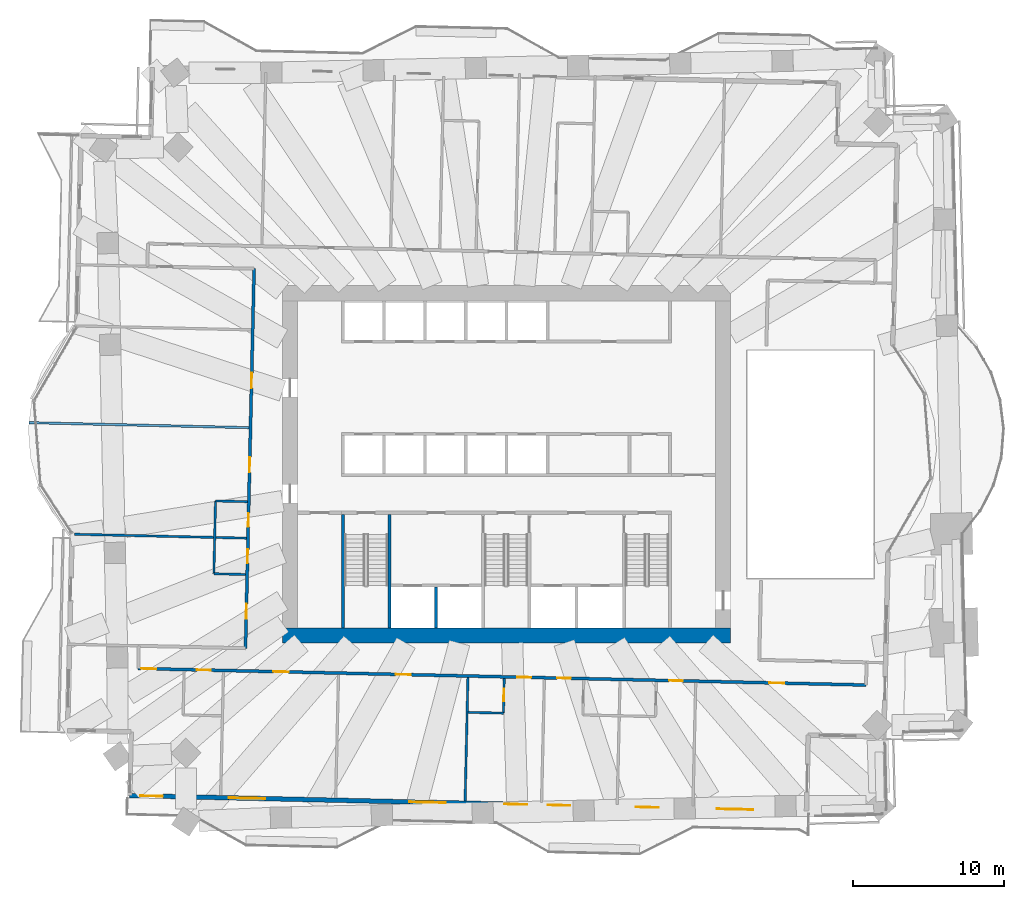
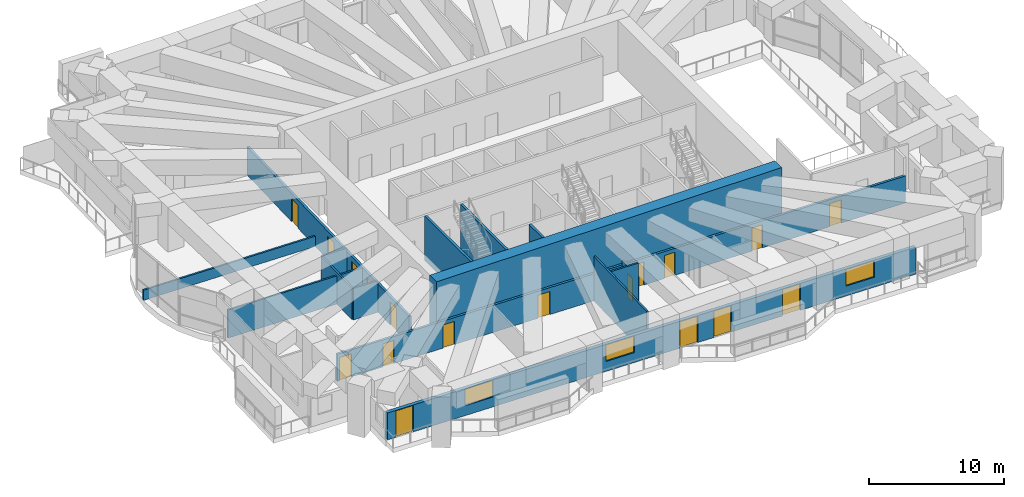
# One storey, part 10 of 20: 18 doors, 15 walls, 3 windows, 21 openings.
"""IFC4 building model written with IfcOpenShell, lengths in metres."""

from ifc_helpers import new_model, si_unit, direction, frame, frame_2d, origin, place, context, subcontext, project, spatial, rectangle, extrude, material, layer, layer_set, type_object, element, fill, save


model = new_model("IFC4")

# Units and contexts
model_context = context("Model", 3, precision=1e-05, world=origin(), true_north=direction((0.0, 1.0)))
body_context = subcontext(model_context, "Body", "Model", "MODEL_VIEW")
ifc_project = project(units=[si_unit("LENGTHUNIT", "METRE"), si_unit("AREAUNIT", "SQUARE_METRE"), si_unit("VOLUMEUNIT", "CUBIC_METRE"), si_unit("PLANEANGLEUNIT", "RADIAN"), si_unit("MASSUNIT", "GRAM", prefix="KILO")], contexts=[model_context])

# Site, building, storey
site_placement = place(None, origin())
site = spatial("IfcSite", under=ifc_project, at=site_placement, CompositionType="ELEMENT")
building_placement = place(site_placement, origin())
building = spatial("IfcBuilding", under=site, at=building_placement, Name="Mangrove Gate Tower", CompositionType="ELEMENT")
storey_placement = place(building_placement, frame((0.0, 0.0, 97.300048828125)))
storey = spatial("IfcBuildingStorey", under=building, at=storey_placement, Name="L24", CompositionType="ELEMENT", Elevation=97.300048828125)

# Walls
ifc_material_1 = material(Name="Concrete C70/85", Category="concrete")
ifc_layer_1 = layer(ifc_material_1, 0.199951171875)
ifc_layer_set_1 = layer_set([ifc_layer_1], Name="Core shaft wall 200 C70/85")
wall_type_1 = type_object("IfcWallType", Name="Core shaft wall 200 C70/85", PredefinedType="SHEAR", material=ifc_layer_set_1)
wall_1_placement = place(storey_placement, frame((-4.64990234375, -10.800048828125, 0.0), z_axis=(0.0, 0.0, 1.0), x_axis=(0.0, 1.0, 0.0)))
element("IfcWall", 1, at=wall_1_placement, inside=storey, type_object=wall_type_1, Name="WALL-L24-CORE-16", PredefinedType="SHEAR", context=body_context, shape_type="SweptSolid", body=[
    extrude(rectangle(XDim=2.699951171875, YDim=0.199951171875, at=frame_2d((1.35009765625, 0.0))), origin(), (0.0, 0.0, 1.0), 4.050048828125),
])
ifc_material_2 = material(Name="Concrete C70/85", Category="concrete")
ifc_layer_2 = layer(ifc_material_2, 0.199951171875)
ifc_layer_set_2 = layer_set([ifc_layer_2], Name="Core stair wall 200 C70/85")
wall_type_2 = type_object("IfcWallType", Name="Core stair wall 200 C70/85", PredefinedType="SHEAR", material=ifc_layer_set_2)
for number, where, z_axis, x_axis, name in (
    (2, (-10.800048828125, -10.800048828125, 0.0), (0.0, 0.0, 1.0), (0.0, 1.0, 0.0), "WALL-L24-CORE-9"),
    (3, (-7.75, -10.800048828125, 0.0), (0.0, 0.0, 1.0), (0.0, 1.0, 0.0), "WALL-L24-CORE-10"),
):
    element("IfcWall", number, at=place(storey_placement, frame(where, z_axis=z_axis, x_axis=x_axis)), inside=storey, type_object=wall_type_2, Name=name, PredefinedType="SHEAR", context=body_context, shape_type="SweptSolid", body=[
        extrude(rectangle(XDim=7.5, YDim=0.199951171875, at=frame_2d((3.75, 0.0))), origin(), (0.0, 0.0, 1.0), 4.050048828125),
    ])
ifc_material_3 = material(Name="Concrete C70/85", Category="concrete")
ifc_layer_3 = layer(ifc_material_3, 1.0)
ifc_layer_set_3 = layer_set([ifc_layer_3], Name="Core wall 1000 C70/85")
wall_type_3 = type_object("IfcWallType", Name="Core wall 1000 C70/85", PredefinedType="SHEAR", material=ifc_layer_set_3)
wall_2_placement = place(storey_placement, frame((-14.800048828125, -11.300048828125, 0.0), z_axis=(0.0, 0.0, 1.0), x_axis=(1.0, 0.0, 0.0)))
element("IfcWall", 4, at=wall_2_placement, inside=storey, type_object=wall_type_3, Name="WALL-L24-CORE-1", PredefinedType="SHEAR", context=body_context, shape_type="SweptSolid", body=[
    extrude(rectangle(XDim=29.60009765625, YDim=1.0, at=frame_2d((14.800048828125, 0.0))), origin(), (0.0, 0.0, 1.0), 4.599853515625),
])

# Wall, openings, doors
ifc_material_4 = material(Name="Gypsum board on steel stud, EI 60", Category="steel")
ifc_layer_4 = layer(ifc_material_4, 0.199951171875)
ifc_layer_set_4 = layer_set([ifc_layer_4], Name="Corridor wall EI 60")
wall_type_4 = type_object("IfcWallType", Name="Corridor wall EI 60", PredefinedType="PARTITIONING", material=ifc_layer_set_4)
wall_3_placement = place(storey_placement, frame((-24.33203125, -13.488037109375, 0.0), z_axis=(0.0, 0.0, 1.0), x_axis=(0.999742555853, -0.022689689667, 0.0)))
wall_3 = element("IfcWall", 5, at=wall_3_placement, inside=storey, type_object=wall_type_4, Name="WALL-L24-014", PredefinedType="PARTITIONING", context=body_context, shape_type="SweptSolid", body=[
    extrude(rectangle(XDim=48.08642578125, YDim=0.199951171875, at=frame_2d((24.043212890625, 0.0))), origin(), (0.0, 0.0, 1.0), 2.449951171875),
])
opening_1_placement = place(wall_3_placement, frame((0.199951171875, 0.0, 0.0)))
opening_1 = element("IfcOpeningElement", 6, at=opening_1_placement, cuts=wall_3, Name="Opening AD", PredefinedType="OPENING", context=body_context, shape_type="SweptSolid", body=[
    extrude(rectangle(XDim=1.0, YDim=2.10009765625, at=frame_2d((0.5, 1.050048828125))), frame((0.0, 0.10986328125, 0.0), z_axis=(0.0, -1.0, 0.0), x_axis=(1.0, 0.0, 0.0)), (0.0, 0.0, 1.0), 0.219970703125),
])
opening_2_placement = place(wall_3_placement, frame((3.87890625, 0.0, 0.0)))
opening_2 = element("IfcOpeningElement", 7, at=opening_2_placement, cuts=wall_3, Name="Opening SD", PredefinedType="OPENING", context=body_context, shape_type="SweptSolid", body=[
    extrude(rectangle(XDim=0.89990234375, YDim=2.10009765625, at=frame_2d((0.449951171875, 1.050048828125))), frame((0.0, 0.10986328125, 0.0), z_axis=(0.0, -1.0, 0.0), x_axis=(1.0, 0.0, 0.0)), (0.0, 0.0, 1.0), 0.219970703125),
])
opening_3_placement = place(wall_3_placement, frame((8.928955078125, 0.0, 0.0)))
opening_3 = element("IfcOpeningElement", 8, at=opening_3_placement, cuts=wall_3, Name="Opening AD", PredefinedType="OPENING", context=body_context, shape_type="SweptSolid", body=[
    extrude(rectangle(XDim=1.0, YDim=2.10009765625, at=frame_2d((0.5, 1.050048828125))), frame((0.0, 0.10986328125, 0.0), z_axis=(0.0, -1.0, 0.0), x_axis=(1.0, 0.0, 0.0)), (0.0, 0.0, 1.0), 0.219970703125),
])
opening_4_placement = place(wall_3_placement, frame((17.00390625, 0.0, 0.0)))
opening_4 = element("IfcOpeningElement", 9, at=opening_4_placement, cuts=wall_3, Name="Opening AD", PredefinedType="OPENING", context=body_context, shape_type="SweptSolid", body=[
    extrude(rectangle(XDim=1.0, YDim=2.10009765625, at=frame_2d((0.5, 1.050048828125))), frame((0.0, 0.10986328125, 0.0), z_axis=(0.0, -1.0, 0.0), x_axis=(1.0, 0.0, 0.0)), (0.0, 0.0, 1.0), 0.219970703125),
])
opening_5_placement = place(wall_3_placement, frame((25.053955078125, 0.0, 0.0)))
opening_5 = element("IfcOpeningElement", 10, at=opening_5_placement, cuts=wall_3, Name="Opening BD", PredefinedType="OPENING", context=body_context, shape_type="SweptSolid", body=[
    extrude(rectangle(XDim=0.89990234375, YDim=2.10009765625, at=frame_2d((0.449951171875, 1.050048828125))), frame((0.0, 0.10986328125, 0.0), z_axis=(0.0, -1.0, 0.0), x_axis=(1.0, 0.0, 0.0)), (0.0, 0.0, 1.0), 0.219970703125),
])
opening_6_placement = place(wall_3_placement, frame((27.678955078125, 0.0, 0.0)))
opening_6 = element("IfcOpeningElement", 11, at=opening_6_placement, cuts=wall_3, Name="Opening BD", PredefinedType="OPENING", context=body_context, shape_type="SweptSolid", body=[
    extrude(rectangle(XDim=0.89990234375, YDim=2.10009765625, at=frame_2d((0.449951171875, 1.050048828125))), frame((0.0, 0.10986328125, 0.0), z_axis=(0.0, -1.0, 0.0), x_axis=(1.0, 0.0, 0.0)), (0.0, 0.0, 1.0), 0.219970703125),
])
opening_7_placement = place(wall_3_placement, frame((35.0791015625, 0.0, 0.0)))
opening_7 = element("IfcOpeningElement", 12, at=opening_7_placement, cuts=wall_3, Name="Opening BD", PredefinedType="OPENING", context=body_context, shape_type="SweptSolid", body=[
    extrude(rectangle(XDim=0.89990234375, YDim=2.10009765625, at=frame_2d((0.449951171875, 1.050048828125))), frame((0.0, 0.10986328125, 0.0), z_axis=(0.0, -1.0, 0.0), x_axis=(1.0, 0.0, 0.0)), (0.0, 0.0, 1.0), 0.219970703125),
])
opening_8_placement = place(wall_3_placement, frame((41.675048828125, 0.0, 0.0)))
opening_8 = element("IfcOpeningElement", 13, at=opening_8_placement, cuts=wall_3, Name="Opening AD", PredefinedType="OPENING", context=body_context, shape_type="SweptSolid", body=[
    extrude(rectangle(XDim=1.0, YDim=2.10009765625, at=frame_2d((0.5, 1.050048828125))), frame((0.0, 0.10986328125, 0.0), z_axis=(0.0, -1.0, 0.0), x_axis=(1.0, 0.0, 0.0)), (0.0, 0.0, 1.0), 0.219970703125),
])
ifc_material_5 = material(Name="Timber door leaf", Category="wood")
door_type_1 = type_object("IfcDoorType", Name="Amenity door 1000", OperationType="SINGLE_SWING_LEFT", PredefinedType="DOOR", material=ifc_material_5)
door_1_placement = place(opening_1_placement, origin())
door_1 = element("IfcDoor", 14, at=door_1_placement, inside=storey, type_object=door_type_1, Name="DOOR-L24-KIT-c1a", OperationType="SINGLE_SWING_LEFT", OverallHeight=2.10009765625, OverallWidth=1.0, PredefinedType="DOOR", context=body_context, shape_type="SweptSolid", body=[
    extrude(rectangle(XDim=1.0, YDim=2.10009765625, at=frame_2d((0.5, 1.050048828125))), frame((0.0, 0.02490234375, 0.0), z_axis=(0.0, -1.0, 0.0), x_axis=(1.0, 0.0, 0.0)), (0.0, 0.0, 1.0), 0.050048828125),
])
fill(opening_1, door_1)
door_2_placement = place(opening_3_placement, origin())
door_2 = element("IfcDoor", 15, at=door_2_placement, inside=storey, type_object=door_type_1, Name="DOOR-L24-GAM-c1a", OperationType="SINGLE_SWING_RIGHT", OverallHeight=2.10009765625, OverallWidth=1.0, PredefinedType="DOOR", context=body_context, shape_type="SweptSolid", body=[
    extrude(rectangle(XDim=1.0, YDim=2.10009765625, at=frame_2d((0.5, 1.050048828125))), frame((0.0, 0.02490234375, 0.0), z_axis=(0.0, -1.0, 0.0), x_axis=(1.0, 0.0, 0.0)), (0.0, 0.0, 1.0), 0.050048828125),
])
fill(opening_3, door_2)
door_3_placement = place(opening_4_placement, origin())
door_3 = element("IfcDoor", 16, at=door_3_placement, inside=storey, type_object=door_type_1, Name="DOOR-L24-LNG-c1a", OperationType="SINGLE_SWING_LEFT", OverallHeight=2.10009765625, OverallWidth=1.0, PredefinedType="DOOR", context=body_context, shape_type="SweptSolid", body=[
    extrude(rectangle(XDim=1.0, YDim=2.10009765625, at=frame_2d((0.5, 1.050048828125))), frame((0.0, 0.02490234375, 0.0), z_axis=(0.0, -1.0, 0.0), x_axis=(1.0, 0.0, 0.0)), (0.0, 0.0, 1.0), 0.050048828125),
])
fill(opening_4, door_3)
door_4_placement = place(opening_8_placement, origin())
door_4 = element("IfcDoor", 17, at=door_4_placement, inside=storey, type_object=door_type_1, Name="DOOR-L24-GAM-c4a", OperationType="SINGLE_SWING_RIGHT", OverallHeight=2.10009765625, OverallWidth=1.0, PredefinedType="DOOR", context=body_context, shape_type="SweptSolid", body=[
    extrude(rectangle(XDim=1.0, YDim=2.10009765625, at=frame_2d((0.5, 1.050048828125))), frame((0.0, 0.02490234375, 0.0), z_axis=(0.0, -1.0, 0.0), x_axis=(1.0, 0.0, 0.0)), (0.0, 0.0, 1.0), 0.050048828125),
])
fill(opening_8, door_4)
ifc_material_6 = material(Name="Timber door leaf", Category="wood")
door_type_2 = type_object("IfcDoorType", Name="Bedroom door 900", OperationType="SINGLE_SWING_LEFT", PredefinedType="DOOR", material=ifc_material_6)
door_5_placement = place(opening_5_placement, origin())
door_5 = element("IfcDoor", 18, at=door_5_placement, inside=storey, type_object=door_type_2, Name="DOOR-L24-BED-c101", OperationType="SINGLE_SWING_LEFT", OverallHeight=2.10009765625, OverallWidth=0.89990234375, PredefinedType="DOOR", context=body_context, shape_type="SweptSolid", body=[
    extrude(rectangle(XDim=0.89990234375, YDim=2.10009765625, at=frame_2d((0.449951171875, 1.050048828125))), frame((0.0, 0.02490234375, 0.0), z_axis=(0.0, -1.0, 0.0), x_axis=(1.0, 0.0, 0.0)), (0.0, 0.0, 1.0), 0.050048828125),
])
fill(opening_5, door_5)
door_6_placement = place(opening_6_placement, origin())
door_6 = element("IfcDoor", 19, at=door_6_placement, inside=storey, type_object=door_type_2, Name="DOOR-L24-BED-c202", OperationType="SINGLE_SWING_RIGHT", OverallHeight=2.10009765625, OverallWidth=0.89990234375, PredefinedType="DOOR", context=body_context, shape_type="SweptSolid", body=[
    extrude(rectangle(XDim=0.89990234375, YDim=2.10009765625, at=frame_2d((0.449951171875, 1.050048828125))), frame((0.0, 0.02490234375, 0.0), z_axis=(0.0, -1.0, 0.0), x_axis=(1.0, 0.0, 0.0)), (0.0, 0.0, 1.0), 0.050048828125),
])
fill(opening_6, door_6)
door_7_placement = place(opening_7_placement, origin())
door_7 = element("IfcDoor", 20, at=door_7_placement, inside=storey, type_object=door_type_2, Name="DOOR-L24-BED-c303", OperationType="SINGLE_SWING_LEFT", OverallHeight=2.10009765625, OverallWidth=0.89990234375, PredefinedType="DOOR", context=body_context, shape_type="SweptSolid", body=[
    extrude(rectangle(XDim=0.89990234375, YDim=2.10009765625, at=frame_2d((0.449951171875, 1.050048828125))), frame((0.0, 0.02490234375, 0.0), z_axis=(0.0, -1.0, 0.0), x_axis=(1.0, 0.0, 0.0)), (0.0, 0.0, 1.0), 0.050048828125),
])
fill(opening_7, door_7)
ifc_material_7 = material(Name="Timber door leaf", Category="wood")
door_type_3 = type_object("IfcDoorType", Name="Service room door 900", OperationType="SINGLE_SWING_LEFT", PredefinedType="DOOR", material=ifc_material_7)
door_8_placement = place(opening_2_placement, origin())
door_8 = element("IfcDoor", 21, at=door_8_placement, inside=storey, type_object=door_type_3, Name="DOOR-L24-AWC-c1a", OperationType="SINGLE_SWING_LEFT", OverallHeight=2.10009765625, OverallWidth=0.89990234375, PredefinedType="DOOR", context=body_context, shape_type="SweptSolid", body=[
    extrude(rectangle(XDim=0.89990234375, YDim=2.10009765625, at=frame_2d((0.449951171875, 1.050048828125))), frame((0.0, 0.02490234375, 0.0), z_axis=(0.0, -1.0, 0.0), x_axis=(1.0, 0.0, 0.0)), (0.0, 0.0, 1.0), 0.050048828125),
])
fill(opening_2, door_8)

wall_4_placement = place(storey_placement, frame((-17.2470703125, -12.14892578125, 0.0), z_axis=(0.0, 0.0, 1.0), x_axis=(0.022696191528, 0.999742408268, 0.0)))
wall_4 = element("IfcWall", 22, at=wall_4_placement, inside=storey, type_object=wall_type_4, Name="WALL-L24-019", PredefinedType="PARTITIONING", context=body_context, shape_type="SweptSolid", body=[
    extrude(rectangle(XDim=25.07421875, YDim=0.199951171875, at=frame_2d((12.537109375, 0.0))), origin(), (0.0, 0.0, 1.0), 2.550048828125),
])
opening_9_placement = place(wall_4_placement, frame((17.18994140625, 0.0, 0.0)))
opening_9 = element("IfcOpeningElement", 23, at=opening_9_placement, cuts=wall_4, Name="Opening AD", PredefinedType="OPENING", context=body_context, shape_type="SweptSolid", body=[
    extrude(rectangle(XDim=1.0, YDim=2.10009765625, at=frame_2d((0.5, 1.050048828125))), frame((0.0, 0.10986328125, 0.0), z_axis=(0.0, -1.0, 0.0), x_axis=(1.0, 0.0, 0.0)), (0.0, 0.0, 1.0), 0.219970703125),
])
opening_10_placement = place(wall_4_placement, frame((11.625, 0.0, 0.0)))
opening_10 = element("IfcOpeningElement", 24, at=opening_10_placement, cuts=wall_4, Name="Opening AD", PredefinedType="OPENING", context=body_context, shape_type="SweptSolid", body=[
    extrude(rectangle(XDim=1.0, YDim=2.10009765625, at=frame_2d((0.5, 1.050048828125))), frame((0.0, 0.10986328125, 0.0), z_axis=(0.0, -1.0, 0.0), x_axis=(1.0, 0.0, 0.0)), (0.0, 0.0, 1.0), 0.219970703125),
])
opening_11_placement = place(wall_4_placement, frame((8.02490234375, 0.0, 0.0)))
opening_11 = element("IfcOpeningElement", 25, at=opening_11_placement, cuts=wall_4, Name="Opening SD", PredefinedType="OPENING", context=body_context, shape_type="SweptSolid", body=[
    extrude(rectangle(XDim=0.89990234375, YDim=2.10009765625, at=frame_2d((0.449951171875, 1.050048828125))), frame((0.0, 0.10986328125, 0.0), z_axis=(0.0, -1.0, 0.0), x_axis=(1.0, 0.0, 0.0)), (0.0, 0.0, 1.0), 0.219970703125),
])
opening_12_placement = place(wall_4_placement, frame((1.93701171875, 0.0, 0.0)))
opening_12 = element("IfcOpeningElement", 26, at=opening_12_placement, cuts=wall_4, Name="Opening AD", PredefinedType="OPENING", context=body_context, shape_type="SweptSolid", body=[
    extrude(rectangle(XDim=1.0, YDim=2.10009765625, at=frame_2d((0.5, 1.050048828125))), frame((0.0, 0.10986328125, 0.0), z_axis=(0.0, -1.0, 0.0), x_axis=(1.0, 0.0, 0.0)), (0.0, 0.0, 1.0), 0.219970703125),
])
opening_13_placement = place(wall_4_placement, frame((5.625, 0.0, 0.0)))
opening_13 = element("IfcOpeningElement", 27, at=opening_13_placement, cuts=wall_4, Name="Opening SD", PredefinedType="OPENING", context=body_context, shape_type="SweptSolid", body=[
    extrude(rectangle(XDim=0.89990234375, YDim=2.10009765625, at=frame_2d((0.449951171875, 1.050048828125))), frame((0.0, 0.10986328125, 0.0), z_axis=(0.0, -1.0, 0.0), x_axis=(1.0, 0.0, 0.0)), (0.0, 0.0, 1.0), 0.219970703125),
])
door_9_placement = place(opening_9_placement, origin())
door_9 = element("IfcDoor", 28, at=door_9_placement, inside=storey, type_object=door_type_1, Name="DOOR-L24-LNG-c5b", OperationType="SINGLE_SWING_LEFT", OverallHeight=2.10009765625, OverallWidth=1.0, PredefinedType="DOOR", context=body_context, shape_type="SweptSolid", body=[
    extrude(rectangle(XDim=1.0, YDim=2.10009765625, at=frame_2d((0.5, 1.050048828125))), frame((0.0, 0.02490234375, 0.0), z_axis=(0.0, -1.0, 0.0), x_axis=(1.0, 0.0, 0.0)), (0.0, 0.0, 1.0), 0.050048828125),
])
fill(opening_9, door_9)
door_10_placement = place(opening_10_placement, origin())
door_10 = element("IfcDoor", 29, at=door_10_placement, inside=storey, type_object=door_type_1, Name="DOOR-L24-LNG-c5c", OperationType="SINGLE_SWING_RIGHT", OverallHeight=2.10009765625, OverallWidth=1.0, PredefinedType="DOOR", context=body_context, shape_type="SweptSolid", body=[
    extrude(rectangle(XDim=1.0, YDim=2.10009765625, at=frame_2d((0.5, 1.050048828125))), frame((0.0, 0.02490234375, 0.0), z_axis=(0.0, -1.0, 0.0), x_axis=(1.0, 0.0, 0.0)), (0.0, 0.0, 1.0), 0.050048828125),
])
fill(opening_10, door_10)
door_11_placement = place(opening_12_placement, origin())
door_11 = element("IfcDoor", 30, at=door_11_placement, inside=storey, type_object=door_type_1, Name="DOOR-L24-GAM-c5b", OperationType="SINGLE_SWING_LEFT", OverallHeight=2.10009765625, OverallWidth=1.0, PredefinedType="DOOR", context=body_context, shape_type="SweptSolid", body=[
    extrude(rectangle(XDim=1.0, YDim=2.10009765625, at=frame_2d((0.5, 1.050048828125))), frame((0.0, 0.02490234375, 0.0), z_axis=(0.0, -1.0, 0.0), x_axis=(1.0, 0.0, 0.0)), (0.0, 0.0, 1.0), 0.050048828125),
])
fill(opening_12, door_11)
door_12_placement = place(opening_11_placement, origin())
door_12 = element("IfcDoor", 31, at=door_12_placement, inside=storey, type_object=door_type_3, Name="DOOR-L24-LIN-c5a", OperationType="SINGLE_SWING_LEFT", OverallHeight=2.10009765625, OverallWidth=0.89990234375, PredefinedType="DOOR", context=body_context, shape_type="SweptSolid", body=[
    extrude(rectangle(XDim=0.89990234375, YDim=2.10009765625, at=frame_2d((0.449951171875, 1.050048828125))), frame((0.0, 0.02490234375, 0.0), z_axis=(0.0, -1.0, 0.0), x_axis=(1.0, 0.0, 0.0)), (0.0, 0.0, 1.0), 0.050048828125),
])
fill(opening_11, door_12)
door_13_placement = place(opening_13_placement, origin())
door_13 = element("IfcDoor", 32, at=door_13_placement, inside=storey, type_object=door_type_3, Name="DOOR-L24-LIN-c5b", OperationType="SINGLE_SWING_RIGHT", OverallHeight=2.10009765625, OverallWidth=0.89990234375, PredefinedType="DOOR", context=body_context, shape_type="SweptSolid", body=[
    extrude(rectangle(XDim=0.89990234375, YDim=2.10009765625, at=frame_2d((0.449951171875, 1.050048828125))), frame((0.0, 0.02490234375, 0.0), z_axis=(0.0, -1.0, 0.0), x_axis=(1.0, 0.0, 0.0)), (0.0, 0.0, 1.0), 0.050048828125),
])
fill(opening_13, door_13)

# Wall, openings, doors, windows
ifc_material_8 = material(Name="Limestone", Category="masonry")
ifc_layer_5 = layer(ifc_material_8, 0.0400390625, Name="Limestone cladding")
ifc_material_9 = material(Name="Ventilated air gap")
ifc_layer_6 = layer(ifc_material_9, 0.0400390625, Name="Ventilated cavity")
ifc_material_10 = material(Name="Mineral wool insulation")
ifc_layer_7 = layer(ifc_material_10, 0.06005859375, Name="Insulation")
ifc_material_11 = material(Name="Breather membrane")
ifc_layer_8 = layer(ifc_material_11, 0.001953125, Name="Breather membrane")
ifc_material_12 = material(Name="Concrete C20/25 blockwork", Category="masonry")
ifc_layer_9 = layer(ifc_material_12, 0.14990234375, Name="Blockwork backing wall")
ifc_material_13 = material(Name="Gypsum plaster")
ifc_layer_10 = layer(ifc_material_13, 0.008056640625, Name="Internal plaster")
ifc_layer_set_5 = layer_set([ifc_layer_5, ifc_layer_6, ifc_layer_7, ifc_layer_8, ifc_layer_9, ifc_layer_10], Name="External wall 300 limestone cladding")
wall_type_5 = type_object("IfcWallType", Name="External wall 300 limestone cladding", PredefinedType="SOLIDWALL", material=ifc_layer_set_5)
wall_5_placement = place(storey_placement, frame((-24.89404296875, -21.8779296875, 0.0), z_axis=(0.0, 0.0, 1.0), x_axis=(0.999742689045, -0.022683820265, 0.0)))
wall_5 = element("IfcWall", 33, at=wall_5_placement, inside=storey, type_object=wall_type_5, Name="WALL-L24-S13", PredefinedType="SOLIDWALL", context=body_context, shape_type="SweptSolid", body=[
    extrude(rectangle(XDim=44.70849609375, YDim=0.300048828125, at=frame_2d((22.354248046875, 0.0))), origin(), (0.0, 0.0, 1.0), 2.449951171875),
])
opening_14_placement = place(wall_5_placement, frame((0.697998046875, 0.0, 0.0)))
opening_14 = element("IfcOpeningElement", 34, at=opening_14_placement, cuts=wall_5, Name="Opening BD1", PredefinedType="OPENING", context=body_context, shape_type="SweptSolid", body=[
    extrude(rectangle(XDim=1.5, YDim=2.39990234375, at=frame_2d((0.75, 1.199951171875))), frame((0.0, 0.159912109375, 0.0), z_axis=(0.0, -1.0, 0.0), x_axis=(1.0, 0.0, 0.0)), (0.0, 0.0, 1.0), 0.320068359375),
])
opening_15_placement = place(wall_5_placement, frame((6.54296875, 0.0, 0.89990234375)))
opening_15 = element("IfcOpeningElement", 35, at=opening_15_placement, cuts=wall_5, Name="Opening W2", PredefinedType="OPENING", context=body_context, shape_type="SweptSolid", body=[
    extrude(rectangle(XDim=2.39990234375, YDim=1.5, at=frame_2d((1.199951171875, 0.75))), frame((0.0, 0.159912109375, 0.0), z_axis=(0.0, -1.0, 0.0), x_axis=(1.0, 0.0, 0.0)), (0.0, 0.0, 1.0), 0.320068359375),
])
opening_16_placement = place(wall_5_placement, frame((18.47998046875, 0.0, 0.89990234375)))
opening_16 = element("IfcOpeningElement", 36, at=opening_16_placement, cuts=wall_5, Name="Opening W2", PredefinedType="OPENING", context=body_context, shape_type="SweptSolid", body=[
    extrude(rectangle(XDim=2.39990234375, YDim=1.5, at=frame_2d((1.199951171875, 0.75))), frame((0.0, 0.159912109375, 0.0), z_axis=(0.0, -1.0, 0.0), x_axis=(1.0, 0.0, 0.0)), (0.0, 0.0, 1.0), 0.320068359375),
])
opening_17_placement = place(wall_5_placement, frame((24.760009765625, 0.0, 0.0)))
opening_17 = element("IfcOpeningElement", 37, at=opening_17_placement, cuts=wall_5, Name="Opening BD1", PredefinedType="OPENING", context=body_context, shape_type="SweptSolid", body=[
    extrude(rectangle(XDim=1.5, YDim=2.39990234375, at=frame_2d((0.75, 1.199951171875))), frame((0.0, 0.159912109375, 0.0), z_axis=(0.0, -1.0, 0.0), x_axis=(1.0, 0.0, 0.0)), (0.0, 0.0, 1.0), 0.320068359375),
])
opening_18_placement = place(wall_5_placement, frame((27.610107421875, 0.0, 0.0)))
opening_18 = element("IfcOpeningElement", 38, at=opening_18_placement, cuts=wall_5, Name="Opening BD1", PredefinedType="OPENING", context=body_context, shape_type="SweptSolid", body=[
    extrude(rectangle(XDim=1.5, YDim=2.39990234375, at=frame_2d((0.75, 1.199951171875))), frame((0.0, 0.159912109375, 0.0), z_axis=(0.0, -1.0, 0.0), x_axis=(1.0, 0.0, 0.0)), (0.0, 0.0, 1.0), 0.320068359375),
])
opening_19_placement = place(wall_5_placement, frame((33.43994140625, 0.0, 0.0)))
opening_19 = element("IfcOpeningElement", 39, at=opening_19_placement, cuts=wall_5, Name="Opening BD1", PredefinedType="OPENING", context=body_context, shape_type="SweptSolid", body=[
    extrude(rectangle(XDim=1.5, YDim=2.39990234375, at=frame_2d((0.75, 1.199951171875))), frame((0.0, 0.159912109375, 0.0), z_axis=(0.0, -1.0, 0.0), x_axis=(1.0, 0.0, 0.0)), (0.0, 0.0, 1.0), 0.320068359375),
])
opening_20_placement = place(wall_5_placement, frame((38.794921875, 0.0, 0.89990234375)))
opening_20 = element("IfcOpeningElement", 40, at=opening_20_placement, cuts=wall_5, Name="Opening W2", PredefinedType="OPENING", context=body_context, shape_type="SweptSolid", body=[
    extrude(rectangle(XDim=2.39990234375, YDim=1.5, at=frame_2d((1.199951171875, 0.75))), frame((0.0, 0.159912109375, 0.0), z_axis=(0.0, -1.0, 0.0), x_axis=(1.0, 0.0, 0.0)), (0.0, 0.0, 1.0), 0.320068359375),
])
ifc_material_14 = material(Name="Aluminium frame with laminated clear glass", Category="aluminium")
door_type_4 = type_object("IfcDoorType", Name="Balcony sliding door 1500x2400", OperationType="SLIDING_TO_LEFT", PredefinedType="DOOR", material=ifc_material_14)
door_14_placement = place(opening_14_placement, origin())
door_14 = element("IfcDoor", 41, at=door_14_placement, inside=storey, type_object=door_type_4, Name="DOOR-L24-S13-1", OperationType="SLIDING_TO_LEFT", OverallHeight=2.39990234375, OverallWidth=1.5, PredefinedType="DOOR", context=body_context, shape_type="SweptSolid", body=[
    extrude(rectangle(XDim=1.5, YDim=2.39990234375, at=frame_2d((0.75, 1.199951171875))), frame((0.0, 0.02490234375, 0.0), z_axis=(0.0, -1.0, 0.0), x_axis=(1.0, 0.0, 0.0)), (0.0, 0.0, 1.0), 0.050048828125),
])
fill(opening_14, door_14)
door_15_placement = place(opening_17_placement, origin())
door_15 = element("IfcDoor", 42, at=door_15_placement, inside=storey, type_object=door_type_4, Name="DOOR-L24-S13-4", OperationType="SLIDING_TO_LEFT", OverallHeight=2.39990234375, OverallWidth=1.5, PredefinedType="DOOR", context=body_context, shape_type="SweptSolid", body=[
    extrude(rectangle(XDim=1.5, YDim=2.39990234375, at=frame_2d((0.75, 1.199951171875))), frame((0.0, 0.02490234375, 0.0), z_axis=(0.0, -1.0, 0.0), x_axis=(1.0, 0.0, 0.0)), (0.0, 0.0, 1.0), 0.050048828125),
])
fill(opening_17, door_15)
door_16_placement = place(opening_18_placement, origin())
door_16 = element("IfcDoor", 43, at=door_16_placement, inside=storey, type_object=door_type_4, Name="DOOR-L24-S13-5", OperationType="SLIDING_TO_LEFT", OverallHeight=2.39990234375, OverallWidth=1.5, PredefinedType="DOOR", context=body_context, shape_type="SweptSolid", body=[
    extrude(rectangle(XDim=1.5, YDim=2.39990234375, at=frame_2d((0.75, 1.199951171875))), frame((0.0, 0.02490234375, 0.0), z_axis=(0.0, -1.0, 0.0), x_axis=(1.0, 0.0, 0.0)), (0.0, 0.0, 1.0), 0.050048828125),
])
fill(opening_18, door_16)
door_17_placement = place(opening_19_placement, origin())
door_17 = element("IfcDoor", 44, at=door_17_placement, inside=storey, type_object=door_type_4, Name="DOOR-L24-S13-6", OperationType="SLIDING_TO_LEFT", OverallHeight=2.39990234375, OverallWidth=1.5, PredefinedType="DOOR", context=body_context, shape_type="SweptSolid", body=[
    extrude(rectangle(XDim=1.5, YDim=2.39990234375, at=frame_2d((0.75, 1.199951171875))), frame((0.0, 0.02490234375, 0.0), z_axis=(0.0, -1.0, 0.0), x_axis=(1.0, 0.0, 0.0)), (0.0, 0.0, 1.0), 0.050048828125),
])
fill(opening_19, door_17)
ifc_material_15 = material(Name="Aluminium frame with double-glazed low-e glass", Category="aluminium")
window_type = type_object("IfcWindowType", Name="Corner room window 2400x1500", PartitioningType="DOUBLE_PANEL_VERTICAL", PredefinedType="WINDOW", material=ifc_material_15)
window_1_placement = place(opening_15_placement, origin())
window_1 = element("IfcWindow", 45, at=window_1_placement, inside=storey, type_object=window_type, Name="WIN-L24-S13-2", OverallHeight=1.5, OverallWidth=2.39990234375, PartitioningType="DOUBLE_PANEL_VERTICAL", PredefinedType="WINDOW", context=body_context, shape_type="SweptSolid", body=[
    extrude(rectangle(XDim=2.39990234375, YDim=1.5, at=frame_2d((1.199951171875, 0.75))), frame((0.0, 0.030029296875, 0.0), z_axis=(0.0, -1.0, 0.0), x_axis=(1.0, 0.0, 0.0)), (0.0, 0.0, 1.0), 0.06005859375),
])
fill(opening_15, window_1)
window_2_placement = place(opening_16_placement, origin())
window_2 = element("IfcWindow", 46, at=window_2_placement, inside=storey, type_object=window_type, Name="WIN-L24-S13-3", OverallHeight=1.5, OverallWidth=2.39990234375, PartitioningType="DOUBLE_PANEL_VERTICAL", PredefinedType="WINDOW", context=body_context, shape_type="SweptSolid", body=[
    extrude(rectangle(XDim=2.39990234375, YDim=1.5, at=frame_2d((1.199951171875, 0.75))), frame((0.0, 0.030029296875, 0.0), z_axis=(0.0, -1.0, 0.0), x_axis=(1.0, 0.0, 0.0)), (0.0, 0.0, 1.0), 0.06005859375),
])
fill(opening_16, window_2)
window_3_placement = place(opening_20_placement, origin())
window_3 = element("IfcWindow", 47, at=window_3_placement, inside=storey, type_object=window_type, Name="WIN-L24-S13-7", OverallHeight=1.5, OverallWidth=2.39990234375, PartitioningType="DOUBLE_PANEL_VERTICAL", PredefinedType="WINDOW", context=body_context, shape_type="SweptSolid", body=[
    extrude(rectangle(XDim=2.39990234375, YDim=1.5, at=frame_2d((1.199951171875, 0.75))), frame((0.0, 0.030029296875, 0.0), z_axis=(0.0, -1.0, 0.0), x_axis=(1.0, 0.0, 0.0)), (0.0, 0.0, 1.0), 0.06005859375),
])
fill(opening_20, window_3)

# Walls
ifc_material_16 = material(Name="Gypsum board on steel stud, EI 60", Category="steel")
ifc_layer_11 = layer(ifc_material_16, 0.14990234375)
ifc_layer_set_6 = layer_set([ifc_layer_11], Name="Party wall 150 EI 60")
wall_type_6 = type_object("IfcWallType", Name="Party wall 150 EI 60", PredefinedType="PARTITIONING", material=ifc_layer_set_6)
wall_6_placement = place(storey_placement, frame((-2.741943359375, -22.23095703125, 0.0), z_axis=(0.0, 0.0, 1.0), x_axis=(0.0227037155, 0.99974223743, 0.0)))
element("IfcWall", 48, at=wall_6_placement, inside=storey, type_object=wall_type_6, Name="WALL-L24-003", PredefinedType="PARTITIONING", context=body_context, shape_type="SweptSolid", body=[
    extrude(rectangle(XDim=8.151123046875, YDim=0.14990234375, at=frame_2d((4.07568359375, 0.0))), origin(), (0.0, 0.0, 1.0), 4.050048828125),
])
wall_7_placement = place(storey_placement, frame((-2.5380859375, -16.383056640625, 0.0), z_axis=(0.0, 0.0, 1.0), x_axis=(0.999740260747, -0.02279059109, 0.0)))
element("IfcWall", 49, at=wall_7_placement, inside=storey, type_object=wall_type_6, Name="WALL-L24-009", PredefinedType="PARTITIONING", context=body_context, shape_type="SweptSolid", body=[
    extrude(rectangle(XDim=2.324462890625, YDim=0.14990234375, at=frame_2d((1.162109375, 0.0))), origin(), (0.0, 0.0, 1.0), 4.050048828125),
])

# Wall, opening, door
wall_8_placement = place(storey_placement, frame((-0.2099609375, -16.43603515625, 0.0), z_axis=(0.0, 0.0, 1.0), x_axis=(0.022612884682, 0.999744296031, 0.0)))
wall_8 = element("IfcWall", 50, at=wall_8_placement, inside=storey, type_object=wall_type_6, Name="WALL-L24-010", PredefinedType="PARTITIONING", context=body_context, shape_type="SweptSolid", body=[
    extrude(rectangle(XDim=2.299560546875, YDim=0.14990234375, at=frame_2d((1.14990234375, 0.0))), origin(), (0.0, 0.0, 1.0), 2.849853515625),
])
opening_21_placement = place(wall_8_placement, frame((0.800048828125, 0.0, 0.0)))
opening_21 = element("IfcOpeningElement", 51, at=opening_21_placement, cuts=wall_8, Name="Opening ED", PredefinedType="OPENING", context=body_context, shape_type="SweptSolid", body=[
    extrude(rectangle(XDim=0.800048828125, YDim=2.10009765625, at=frame_2d((0.39990234375, 1.050048828125))), frame((0.0, 0.0849609375, 0.0), z_axis=(0.0, -1.0, 0.0), x_axis=(1.0, 0.0, 0.0)), (0.0, 0.0, 1.0), 0.169921875),
])
ifc_material_17 = material(Name="Timber door leaf", Category="wood")
door_type_5 = type_object("IfcDoorType", Name="En-suite door 800", OperationType="SINGLE_SWING_LEFT", PredefinedType="DOOR", material=ifc_material_17)
door_18_placement = place(opening_21_placement, origin())
door_18 = element("IfcDoor", 52, at=door_18_placement, inside=storey, type_object=door_type_5, Name="DOOR-L24-ENS-c101", OperationType="SINGLE_SWING_LEFT", OverallHeight=2.10009765625, OverallWidth=0.800048828125, PredefinedType="DOOR", context=body_context, shape_type="SweptSolid", body=[
    extrude(rectangle(XDim=0.800048828125, YDim=2.10009765625, at=frame_2d((0.39990234375, 1.050048828125))), frame((0.0, 0.02490234375, 0.0), z_axis=(0.0, -1.0, 0.0), x_axis=(1.0, 0.0, 0.0)), (0.0, 0.0, 1.0), 0.050048828125),
])
fill(opening_21, door_18)

# Walls
wall_9_placement = place(storey_placement, frame((-19.3369140625, -7.22998046875, 0.0), z_axis=(0.0, 0.0, 1.0), x_axis=(0.999737555419, -0.022908956429, 0.0)))
element("IfcWall", 53, at=wall_9_placement, inside=storey, type_object=wall_type_6, Name="WALL-L24-023", PredefinedType="PARTITIONING", context=body_context, shape_type="SweptSolid", body=[
    extrude(rectangle(XDim=2.099365234375, YDim=0.14990234375, at=frame_2d((1.0498046875, 0.0))), origin(), (0.0, 0.0, 1.0), 2.849853515625),
])
wall_10_placement = place(storey_placement, frame((-19.3359375, -7.22509765625, 0.0), z_axis=(0.0, 0.0, 1.0), x_axis=(0.022683280499, 0.999742701292, 0.0)))
element("IfcWall", 54, at=wall_10_placement, inside=storey, type_object=wall_type_6, Name="WALL-L24-024", PredefinedType="PARTITIONING", context=body_context, shape_type="SweptSolid", body=[
    extrude(rectangle(XDim=4.80029296875, YDim=0.14990234375, at=frame_2d((2.400146484375, 0.0))), origin(), (0.0, 0.0, 1.0), 2.849853515625),
])
wall_11_placement = place(storey_placement, frame((-28.552978515625, -4.6201171875, 0.0), z_axis=(0.0, 0.0, 1.0), x_axis=(0.999743020026, -0.022669228257, 0.0)))
element("IfcWall", 55, at=wall_11_placement, inside=storey, type_object=wall_type_6, Name="WALL-L24-025", PredefinedType="PARTITIONING", context=body_context, shape_type="SweptSolid", body=[
    extrude(rectangle(XDim=11.372802734375, YDim=0.14990234375, at=frame_2d((5.6865234375, 0.0))), origin(), (0.0, 0.0, 1.0), 2.550048828125),
])
wall_12_placement = place(storey_placement, frame((-19.22802734375, -2.4208984375, 0.0), z_axis=(0.0, 0.0, 1.0), x_axis=(0.999737860308, -0.022895647347, 0.0)))
element("IfcWall", 56, at=wall_12_placement, inside=storey, type_object=wall_type_6, Name="WALL-L24-026", PredefinedType="PARTITIONING", context=body_context, shape_type="SweptSolid", body=[
    extrude(rectangle(XDim=2.1005859375, YDim=0.14990234375, at=frame_2d((1.05029296875, 0.0))), origin(), (0.0, 0.0, 1.0), 2.849853515625),
])
wall_13_placement = place(storey_placement, frame((-31.5439453125, 2.75, 0.0), z_axis=(0.0, 0.0, 1.0), x_axis=(0.999741956969, -0.022716062079, 0.0)))
element("IfcWall", 57, at=wall_13_placement, inside=storey, type_object=wall_type_6, Name="WALL-L24-027", PredefinedType="PARTITIONING", context=body_context, shape_type="SweptSolid", body=[
    extrude(rectangle(XDim=14.530517578125, YDim=0.14990234375, at=frame_2d((7.26513671875, 0.0))), origin(), (0.0, 0.0, 1.0), 0.929931640625),
])

save(model, "model.ifc")
